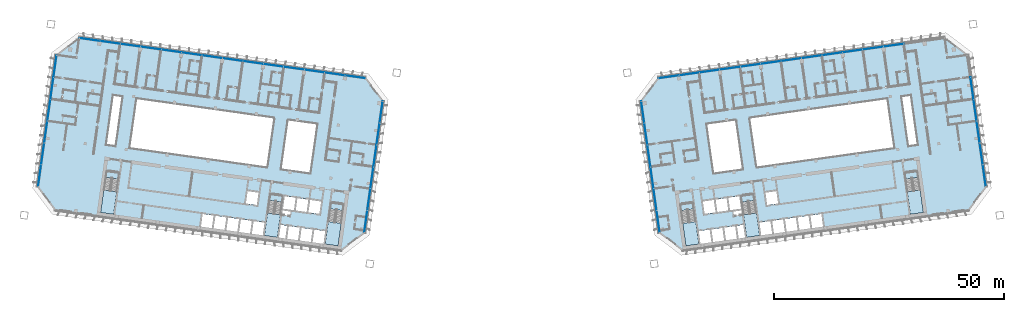
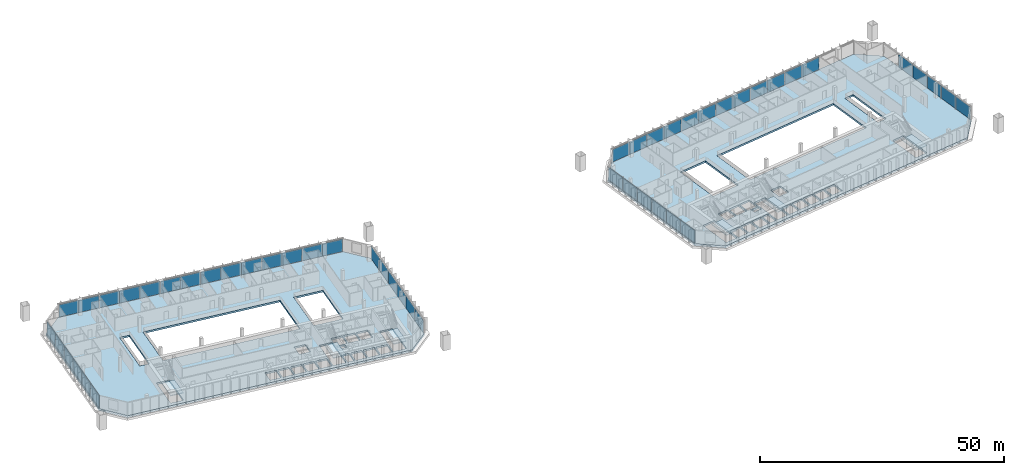
# One storey, part 12 of 26: 49 plates, 8 slabs, 12 elements without a shape of their own.
"""IFC4 building model written with IfcOpenShell, lengths in metres."""

from ifc_helpers import new_model, si_unit, direction, frame, origin, origin_2d, place, context, subcontext, project, spatial, polyline, rectangle, outline, extrude, material, layer, layer_set, type_object, element, aggregate, save


model = new_model("IFC4")

# Units and contexts
model_context = context("Model", 3, precision=1e-05, world=origin(), true_north=direction((0.0, 1.0)))
body_context = subcontext(model_context, "Body", "Model", "MODEL_VIEW")
ifc_project = project(units=[si_unit("LENGTHUNIT", "METRE"), si_unit("AREAUNIT", "SQUARE_METRE"), si_unit("VOLUMEUNIT", "CUBIC_METRE"), si_unit("PLANEANGLEUNIT", "RADIAN"), si_unit("MASSUNIT", "GRAM", prefix="KILO")], contexts=[model_context])

# Site, building, storey
site_placement = place(None, origin())
site = spatial("IfcSite", under=ifc_project, at=site_placement, CompositionType="ELEMENT")
building_placement = place(site_placement, origin())
building = spatial("IfcBuilding", under=site, at=building_placement, Name="Mirante Cascada Hotel Towers", CompositionType="ELEMENT")
storey_placement = place(building_placement, frame((0.0, 0.0, 140.5)))
storey = spatial("IfcBuildingStorey", under=building, at=storey_placement, Name="L32", CompositionType="ELEMENT", Elevation=140.5)

# Curtain wall, plates
ifc_material_1 = material(Name="Aluminium mullion and transom frame with clear laminated glass", Category="aluminium")
curtain_wall_type_1 = type_object("IfcCurtainWallType", Name="Ribbon curtain wall ECW1", PredefinedType="NOTDEFINED", material=ifc_material_1)
curtain_wall_1_placement = place(storey_placement, origin())
curtain_wall_1 = element("IfcCurtainWall", 1, at=curtain_wall_1_placement, inside=storey, type_object=curtain_wall_type_1, Name="Front ribbon wall T1 L32", PredefinedType="NOTDEFINED")
ifc_material_2 = material(Name="Clear laminated glass", Category="glass")
ifc_layer_1 = layer(ifc_material_2, 0.036)
ifc_layer_set_1 = layer_set([ifc_layer_1], Name="ECW1 glass panel 36")
plate_type_1 = type_object("IfcPlateType", Name="ECW1 glass panel 36", PredefinedType="CURTAIN_PANEL", material=ifc_layer_set_1)
plate_1_placement = place(storey_placement, frame((-91.9184, 25.7373, 0.1), z_axis=(0.0, 0.0, 1.0), x_axis=(0.9902681, -0.1391731, 0.0)))
plate_1 = element("IfcPlate", 2, at=plate_1_placement, type_object=plate_type_1, Name="ECW1 panel 1", PredefinedType="CURTAIN_PANEL", context=body_context, shape_type="SweptSolid", body=[
    extrude(rectangle(XDim=4.3936, YDim=0.036, at=origin_2d()), origin(), (0.0, 0.0, 1.0), 3.15),
])
plate_2_placement = place(storey_placement, frame((-87.487, 25.1145, 0.1), z_axis=(0.0, 0.0, 1.0), x_axis=(0.9902681, -0.1391731, 0.0)))
plate_2 = element("IfcPlate", 3, at=plate_2_placement, type_object=plate_type_1, Name="ECW1 panel 2", PredefinedType="CURTAIN_PANEL", context=body_context, shape_type="SweptSolid", body=[
    extrude(rectangle(XDim=4.4261, YDim=0.036, at=origin_2d()), origin(), (0.0, 0.0, 1.0), 3.15),
])
plate_3_placement = place(storey_placement, frame((-83.0396, 24.4895, 0.1), z_axis=(0.0, 0.0, 1.0), x_axis=(0.9902681, -0.1391731, 0.0)))
plate_3 = element("IfcPlate", 4, at=plate_3_placement, type_object=plate_type_1, Name="ECW1 panel 3", PredefinedType="CURTAIN_PANEL", context=body_context, shape_type="SweptSolid", body=[
    extrude(rectangle(XDim=4.4261, YDim=0.036, at=origin_2d()), origin(), (0.0, 0.0, 1.0), 3.15),
])
plate_4_placement = place(storey_placement, frame((-78.5922, 23.8644, 0.1), z_axis=(0.0, 0.0, 1.0), x_axis=(0.9902681, -0.1391731, 0.0)))
plate_4 = element("IfcPlate", 5, at=plate_4_placement, type_object=plate_type_1, Name="ECW1 panel 4", PredefinedType="CURTAIN_PANEL", context=body_context, shape_type="SweptSolid", body=[
    extrude(rectangle(XDim=4.4261, YDim=0.036, at=origin_2d()), origin(), (0.0, 0.0, 1.0), 3.15),
])
plate_5_placement = place(storey_placement, frame((-74.1448, 23.2394, 0.1), z_axis=(0.0, 0.0, 1.0), x_axis=(0.9902681, -0.1391731, 0.0)))
plate_5 = element("IfcPlate", 6, at=plate_5_placement, type_object=plate_type_1, Name="ECW1 panel 5", PredefinedType="CURTAIN_PANEL", context=body_context, shape_type="SweptSolid", body=[
    extrude(rectangle(XDim=4.4261, YDim=0.036, at=origin_2d()), origin(), (0.0, 0.0, 1.0), 3.15),
])
plate_6_placement = place(storey_placement, frame((-69.6974, 22.6144, 0.1), z_axis=(0.0, 0.0, 1.0), x_axis=(0.9902681, -0.1391731, 0.0)))
plate_6 = element("IfcPlate", 7, at=plate_6_placement, type_object=plate_type_1, Name="ECW1 panel 6", PredefinedType="CURTAIN_PANEL", context=body_context, shape_type="SweptSolid", body=[
    extrude(rectangle(XDim=4.4261, YDim=0.036, at=origin_2d()), origin(), (0.0, 0.0, 1.0), 3.15),
])
plate_7_placement = place(storey_placement, frame((-65.2499, 21.9893, 0.1), z_axis=(0.0, 0.0, 1.0), x_axis=(0.9902681, -0.1391731, 0.0)))
plate_7 = element("IfcPlate", 8, at=plate_7_placement, type_object=plate_type_1, Name="ECW1 panel 7", PredefinedType="CURTAIN_PANEL", context=body_context, shape_type="SweptSolid", body=[
    extrude(rectangle(XDim=4.4261, YDim=0.036, at=origin_2d()), origin(), (0.0, 0.0, 1.0), 3.15),
])
plate_8_placement = place(storey_placement, frame((-60.8025, 21.3643, 0.1), z_axis=(0.0, 0.0, 1.0), x_axis=(0.9902681, -0.1391731, 0.0)))
plate_8 = element("IfcPlate", 9, at=plate_8_placement, type_object=plate_type_1, Name="ECW1 panel 8", PredefinedType="CURTAIN_PANEL", context=body_context, shape_type="SweptSolid", body=[
    extrude(rectangle(XDim=4.4261, YDim=0.036, at=origin_2d()), origin(), (0.0, 0.0, 1.0), 3.15),
])
plate_9_placement = place(storey_placement, frame((-56.3551, 20.7392, 0.1), z_axis=(0.0, 0.0, 1.0), x_axis=(0.9902681, -0.1391731, 0.0)))
plate_9 = element("IfcPlate", 10, at=plate_9_placement, type_object=plate_type_1, Name="ECW1 panel 9", PredefinedType="CURTAIN_PANEL", context=body_context, shape_type="SweptSolid", body=[
    extrude(rectangle(XDim=4.4261, YDim=0.036, at=origin_2d()), origin(), (0.0, 0.0, 1.0), 3.15),
])
plate_10_placement = place(storey_placement, frame((-51.9077, 20.1142, 0.1), z_axis=(0.0, 0.0, 1.0), x_axis=(0.9902681, -0.1391731, 0.0)))
plate_10 = element("IfcPlate", 11, at=plate_10_placement, type_object=plate_type_1, Name="ECW1 panel 10", PredefinedType="CURTAIN_PANEL", context=body_context, shape_type="SweptSolid", body=[
    extrude(rectangle(XDim=4.4261, YDim=0.036, at=origin_2d()), origin(), (0.0, 0.0, 1.0), 3.15),
])
plate_11_placement = place(storey_placement, frame((-47.4603, 19.4891, 0.1), z_axis=(0.0, 0.0, 1.0), x_axis=(0.9902681, -0.1391731, 0.0)))
plate_11 = element("IfcPlate", 12, at=plate_11_placement, type_object=plate_type_1, Name="ECW1 panel 11", PredefinedType="CURTAIN_PANEL", context=body_context, shape_type="SweptSolid", body=[
    extrude(rectangle(XDim=4.4261, YDim=0.036, at=origin_2d()), origin(), (0.0, 0.0, 1.0), 3.15),
])
plate_12_placement = place(storey_placement, frame((-43.0129, 18.8641, 0.1), z_axis=(0.0, 0.0, 1.0), x_axis=(0.9902681, -0.1391731, 0.0)))
plate_12 = element("IfcPlate", 13, at=plate_12_placement, type_object=plate_type_1, Name="ECW1 panel 12", PredefinedType="CURTAIN_PANEL", context=body_context, shape_type="SweptSolid", body=[
    extrude(rectangle(XDim=4.4261, YDim=0.036, at=origin_2d()), origin(), (0.0, 0.0, 1.0), 3.15),
])
plate_13_placement = place(storey_placement, frame((-38.5654, 18.239, 0.1), z_axis=(0.0, 0.0, 1.0), x_axis=(0.9902681, -0.1391731, 0.0)))
plate_13 = element("IfcPlate", 14, at=plate_13_placement, type_object=plate_type_1, Name="ECW1 panel 13", PredefinedType="CURTAIN_PANEL", context=body_context, shape_type="SweptSolid", body=[
    extrude(rectangle(XDim=4.4261, YDim=0.036, at=origin_2d()), origin(), (0.0, 0.0, 1.0), 3.15),
])
plate_14_placement = place(storey_placement, frame((-34.1341, 17.6163, 0.1), z_axis=(0.0, 0.0, 1.0), x_axis=(0.9902681, -0.1391731, 0.0)))
plate_14 = element("IfcPlate", 15, at=plate_14_placement, type_object=plate_type_1, Name="ECW1 panel 14", PredefinedType="CURTAIN_PANEL", context=body_context, shape_type="SweptSolid", body=[
    extrude(rectangle(XDim=4.3936, YDim=0.036, at=origin_2d()), origin(), (0.0, 0.0, 1.0), 3.15),
])
aggregate(curtain_wall_1, [plate_1, plate_2, plate_3, plate_4, plate_5, plate_6, plate_7, plate_8, plate_9, plate_10, plate_11, plate_12, plate_13, plate_14])

curtain_wall_2_placement = place(storey_placement, origin())
curtain_wall_2 = element("IfcCurtainWall", 16, at=curtain_wall_2_placement, inside=storey, type_object=curtain_wall_type_1, Name="Front ribbon wall T2 L32", PredefinedType="NOTDEFINED")
plate_15_placement = place(storey_placement, frame((83.0396, 24.4895, 0.1), z_axis=(0.0, 0.0, 1.0), x_axis=(-0.9902681, -0.1391731, 0.0)))
plate_15 = element("IfcPlate", 17, at=plate_15_placement, type_object=plate_type_1, Name="ECW1 panel 3", PredefinedType="CURTAIN_PANEL", context=body_context, shape_type="SweptSolid", body=[
    extrude(rectangle(XDim=4.4261, YDim=0.036, at=origin_2d()), origin(), (0.0, 0.0, 1.0), 3.15),
])
plate_16_placement = place(storey_placement, frame((78.5922, 23.8644, 0.1), z_axis=(0.0, 0.0, 1.0), x_axis=(-0.9902681, -0.1391731, 0.0)))
plate_16 = element("IfcPlate", 18, at=plate_16_placement, type_object=plate_type_1, Name="ECW1 panel 4", PredefinedType="CURTAIN_PANEL", context=body_context, shape_type="SweptSolid", body=[
    extrude(rectangle(XDim=4.4261, YDim=0.036, at=origin_2d()), origin(), (0.0, 0.0, 1.0), 3.15),
])
plate_17_placement = place(storey_placement, frame((74.1448, 23.2394, 0.1), z_axis=(0.0, 0.0, 1.0), x_axis=(-0.9902681, -0.1391731, 0.0)))
plate_17 = element("IfcPlate", 19, at=plate_17_placement, type_object=plate_type_1, Name="ECW1 panel 5", PredefinedType="CURTAIN_PANEL", context=body_context, shape_type="SweptSolid", body=[
    extrude(rectangle(XDim=4.4261, YDim=0.036, at=origin_2d()), origin(), (0.0, 0.0, 1.0), 3.15),
])
plate_18_placement = place(storey_placement, frame((69.6974, 22.6144, 0.1), z_axis=(0.0, 0.0, 1.0), x_axis=(-0.9902681, -0.1391731, 0.0)))
plate_18 = element("IfcPlate", 20, at=plate_18_placement, type_object=plate_type_1, Name="ECW1 panel 6", PredefinedType="CURTAIN_PANEL", context=body_context, shape_type="SweptSolid", body=[
    extrude(rectangle(XDim=4.4261, YDim=0.036, at=origin_2d()), origin(), (0.0, 0.0, 1.0), 3.15),
])
plate_19_placement = place(storey_placement, frame((65.2499, 21.9893, 0.1), z_axis=(0.0, 0.0, 1.0), x_axis=(-0.9902681, -0.1391731, 0.0)))
plate_19 = element("IfcPlate", 21, at=plate_19_placement, type_object=plate_type_1, Name="ECW1 panel 7", PredefinedType="CURTAIN_PANEL", context=body_context, shape_type="SweptSolid", body=[
    extrude(rectangle(XDim=4.4261, YDim=0.036, at=origin_2d()), origin(), (0.0, 0.0, 1.0), 3.15),
])
plate_20_placement = place(storey_placement, frame((60.8025, 21.3643, 0.1), z_axis=(0.0, 0.0, 1.0), x_axis=(-0.9902681, -0.1391731, 0.0)))
plate_20 = element("IfcPlate", 22, at=plate_20_placement, type_object=plate_type_1, Name="ECW1 panel 8", PredefinedType="CURTAIN_PANEL", context=body_context, shape_type="SweptSolid", body=[
    extrude(rectangle(XDim=4.4261, YDim=0.036, at=origin_2d()), origin(), (0.0, 0.0, 1.0), 3.15),
])
plate_21_placement = place(storey_placement, frame((56.3551, 20.7392, 0.1), z_axis=(0.0, 0.0, 1.0), x_axis=(-0.9902681, -0.1391731, 0.0)))
plate_21 = element("IfcPlate", 23, at=plate_21_placement, type_object=plate_type_1, Name="ECW1 panel 9", PredefinedType="CURTAIN_PANEL", context=body_context, shape_type="SweptSolid", body=[
    extrude(rectangle(XDim=4.4261, YDim=0.036, at=origin_2d()), origin(), (0.0, 0.0, 1.0), 3.15),
])
plate_22_placement = place(storey_placement, frame((51.9077, 20.1142, 0.1), z_axis=(0.0, 0.0, 1.0), x_axis=(-0.9902681, -0.1391731, 0.0)))
plate_22 = element("IfcPlate", 24, at=plate_22_placement, type_object=plate_type_1, Name="ECW1 panel 10", PredefinedType="CURTAIN_PANEL", context=body_context, shape_type="SweptSolid", body=[
    extrude(rectangle(XDim=4.4261, YDim=0.036, at=origin_2d()), origin(), (0.0, 0.0, 1.0), 3.15),
])
plate_23_placement = place(storey_placement, frame((47.4603, 19.4891, 0.1), z_axis=(0.0, 0.0, 1.0), x_axis=(-0.9902681, -0.1391731, 0.0)))
plate_23 = element("IfcPlate", 25, at=plate_23_placement, type_object=plate_type_1, Name="ECW1 panel 11", PredefinedType="CURTAIN_PANEL", context=body_context, shape_type="SweptSolid", body=[
    extrude(rectangle(XDim=4.4261, YDim=0.036, at=origin_2d()), origin(), (0.0, 0.0, 1.0), 3.15),
])
plate_24_placement = place(storey_placement, frame((43.0129, 18.8641, 0.1), z_axis=(0.0, 0.0, 1.0), x_axis=(-0.9902681, -0.1391731, 0.0)))
plate_24 = element("IfcPlate", 26, at=plate_24_placement, type_object=plate_type_1, Name="ECW1 panel 12", PredefinedType="CURTAIN_PANEL", context=body_context, shape_type="SweptSolid", body=[
    extrude(rectangle(XDim=4.4261, YDim=0.036, at=origin_2d()), origin(), (0.0, 0.0, 1.0), 3.15),
])
plate_25_placement = place(storey_placement, frame((38.5654, 18.239, 0.1), z_axis=(0.0, 0.0, 1.0), x_axis=(-0.9902681, -0.1391731, 0.0)))
plate_25 = element("IfcPlate", 27, at=plate_25_placement, type_object=plate_type_1, Name="ECW1 panel 13", PredefinedType="CURTAIN_PANEL", context=body_context, shape_type="SweptSolid", body=[
    extrude(rectangle(XDim=4.4261, YDim=0.036, at=origin_2d()), origin(), (0.0, 0.0, 1.0), 3.15),
])
plate_26_placement = place(storey_placement, frame((34.1341, 17.6163, 0.1), z_axis=(0.0, 0.0, 1.0), x_axis=(-0.9902681, -0.1391731, 0.0)))
plate_26 = element("IfcPlate", 28, at=plate_26_placement, type_object=plate_type_1, Name="ECW1 panel 14", PredefinedType="CURTAIN_PANEL", context=body_context, shape_type="SweptSolid", body=[
    extrude(rectangle(XDim=4.3936, YDim=0.036, at=origin_2d()), origin(), (0.0, 0.0, 1.0), 3.15),
])
aggregate(curtain_wall_2, [plate_15, plate_16, plate_17, plate_18, plate_19, plate_20, plate_21, plate_22, plate_23, plate_24, plate_25, plate_26])

ifc_material_3 = material(Name="Aluminium mullion and transom frame with clear laminated glass", Category="aluminium")
curtain_wall_type_2 = type_object("IfcCurtainWallType", Name="End ribbon curtain wall ECW2", PredefinedType="NOTDEFINED", material=ifc_material_3)
curtain_wall_3_placement = place(storey_placement, origin())
curtain_wall_3 = element("IfcCurtainWall", 29, at=curtain_wall_3_placement, inside=storey, type_object=curtain_wall_type_2, Name="Inner end wall T1 L32", PredefinedType="NOTDEFINED")
ifc_material_4 = material(Name="Clear laminated glass", Category="glass")
ifc_layer_2 = layer(ifc_material_4, 0.034)
ifc_layer_set_2 = layer_set([ifc_layer_2], Name="ECW2 glass panel 34")
plate_type_2 = type_object("IfcPlateType", Name="ECW2 glass panel 34", PredefinedType="CURTAIN_PANEL", material=ifc_layer_set_2)
plate_27_placement = place(storey_placement, frame((-28.4763, 9.9193, 0.1), z_axis=(0.0, 0.0, 1.0), x_axis=(-0.1391731, -0.9902681, 0.0)))
plate_27 = element("IfcPlate", 30, at=plate_27_placement, type_object=plate_type_2, Name="ECW2 panel 1", PredefinedType="CURTAIN_PANEL", context=body_context, shape_type="SweptSolid", body=[
    extrude(rectangle(XDim=4.7151, YDim=0.034, at=origin_2d()), origin(), (0.0, 0.0, 1.0), 3.15),
])
plate_28_placement = place(storey_placement, frame((-29.1439, 5.1696, 0.1), z_axis=(0.0, 0.0, 1.0), x_axis=(-0.1391731, -0.9902681, 0.0)))
plate_28 = element("IfcPlate", 31, at=plate_28_placement, type_object=plate_type_2, Name="ECW2 panel 2", PredefinedType="CURTAIN_PANEL", context=body_context, shape_type="SweptSolid", body=[
    extrude(rectangle(XDim=4.7476, YDim=0.034, at=origin_2d()), origin(), (0.0, 0.0, 1.0), 3.15),
])
plate_29_placement = place(storey_placement, frame((-29.8136, 0.4038, 0.1), z_axis=(0.0, 0.0, 1.0), x_axis=(-0.1391731, -0.9902681, 0.0)))
plate_29 = element("IfcPlate", 32, at=plate_29_placement, type_object=plate_type_2, Name="ECW2 panel 3", PredefinedType="CURTAIN_PANEL", context=body_context, shape_type="SweptSolid", body=[
    extrude(rectangle(XDim=4.7476, YDim=0.034, at=origin_2d()), origin(), (0.0, 0.0, 1.0), 3.15),
])
plate_30_placement = place(storey_placement, frame((-30.4834, -4.362, 0.1), z_axis=(0.0, 0.0, 1.0), x_axis=(-0.1391731, -0.9902681, 0.0)))
plate_30 = element("IfcPlate", 33, at=plate_30_placement, type_object=plate_type_2, Name="ECW2 panel 4", PredefinedType="CURTAIN_PANEL", context=body_context, shape_type="SweptSolid", body=[
    extrude(rectangle(XDim=4.7476, YDim=0.034, at=origin_2d()), origin(), (0.0, 0.0, 1.0), 3.15),
])
plate_31_placement = place(storey_placement, frame((-31.1532, -9.1278, 0.1), z_axis=(0.0, 0.0, 1.0), x_axis=(-0.1391731, -0.9902681, 0.0)))
plate_31 = element("IfcPlate", 34, at=plate_31_placement, type_object=plate_type_2, Name="ECW2 panel 5", PredefinedType="CURTAIN_PANEL", context=body_context, shape_type="SweptSolid", body=[
    extrude(rectangle(XDim=4.7476, YDim=0.034, at=origin_2d()), origin(), (0.0, 0.0, 1.0), 3.15),
])
plate_32_placement = place(storey_placement, frame((-31.8207, -13.8775, 0.1), z_axis=(0.0, 0.0, 1.0), x_axis=(-0.1391731, -0.9902681, 0.0)))
plate_32 = element("IfcPlate", 35, at=plate_32_placement, type_object=plate_type_2, Name="ECW2 panel 6", PredefinedType="CURTAIN_PANEL", context=body_context, shape_type="SweptSolid", body=[
    extrude(rectangle(XDim=4.7151, YDim=0.034, at=origin_2d()), origin(), (0.0, 0.0, 1.0), 3.15),
])
aggregate(curtain_wall_3, [plate_27, plate_28, plate_29, plate_30, plate_31, plate_32])

curtain_wall_4_placement = place(storey_placement, origin())
curtain_wall_4 = element("IfcCurtainWall", 36, at=curtain_wall_4_placement, inside=storey, type_object=curtain_wall_type_2, Name="Outer end wall T1 L32", PredefinedType="NOTDEFINED")
plate_33_placement = place(storey_placement, frame((-102.823, -3.8988, 0.1), z_axis=(0.0, 0.0, 1.0), x_axis=(0.1391731, 0.9902681, 0.0)))
plate_33 = element("IfcPlate", 37, at=plate_33_placement, type_object=plate_type_2, Name="ECW2 panel 1", PredefinedType="CURTAIN_PANEL", context=body_context, shape_type="SweptSolid", body=[
    extrude(rectangle(XDim=4.7151, YDim=0.034, at=origin_2d()), origin(), (0.0, 0.0, 1.0), 3.15),
])
plate_34_placement = place(storey_placement, frame((-102.1554, 0.8509, 0.1), z_axis=(0.0, 0.0, 1.0), x_axis=(0.1391731, 0.9902681, 0.0)))
plate_34 = element("IfcPlate", 38, at=plate_34_placement, type_object=plate_type_2, Name="ECW2 panel 2", PredefinedType="CURTAIN_PANEL", context=body_context, shape_type="SweptSolid", body=[
    extrude(rectangle(XDim=4.7476, YDim=0.034, at=origin_2d()), origin(), (0.0, 0.0, 1.0), 3.15),
])
plate_35_placement = place(storey_placement, frame((-100.1461, 15.1483, 0.1), z_axis=(0.0, 0.0, 1.0), x_axis=(0.1391731, 0.9902681, 0.0)))
plate_35 = element("IfcPlate", 39, at=plate_35_placement, type_object=plate_type_2, Name="ECW2 panel 5", PredefinedType="CURTAIN_PANEL", context=body_context, shape_type="SweptSolid", body=[
    extrude(rectangle(XDim=4.7476, YDim=0.034, at=origin_2d()), origin(), (0.0, 0.0, 1.0), 3.15),
])
plate_36_placement = place(storey_placement, frame((-99.4786, 19.898, 0.1), z_axis=(0.0, 0.0, 1.0), x_axis=(0.1391731, 0.9902681, 0.0)))
plate_36 = element("IfcPlate", 40, at=plate_36_placement, type_object=plate_type_2, Name="ECW2 panel 6", PredefinedType="CURTAIN_PANEL", context=body_context, shape_type="SweptSolid", body=[
    extrude(rectangle(XDim=4.7151, YDim=0.034, at=origin_2d()), origin(), (0.0, 0.0, 1.0), 3.15),
])

curtain_wall_5_placement = place(storey_placement, origin())
curtain_wall_5 = element("IfcCurtainWall", 41, at=curtain_wall_5_placement, inside=storey, type_object=curtain_wall_type_2, Name="Inner end wall T2 L32", PredefinedType="NOTDEFINED")
plate_37_placement = place(storey_placement, frame((28.4763, 9.9193, 0.1), z_axis=(0.0, 0.0, 1.0), x_axis=(0.1391731, -0.9902681, 0.0)))
plate_37 = element("IfcPlate", 42, at=plate_37_placement, type_object=plate_type_2, Name="ECW2 panel 1", PredefinedType="CURTAIN_PANEL", context=body_context, shape_type="SweptSolid", body=[
    extrude(rectangle(XDim=4.7151, YDim=0.034, at=origin_2d()), origin(), (0.0, 0.0, 1.0), 3.15),
])
plate_38_placement = place(storey_placement, frame((29.1439, 5.1696, 0.1), z_axis=(0.0, 0.0, 1.0), x_axis=(0.1391731, -0.9902681, 0.0)))
plate_38 = element("IfcPlate", 43, at=plate_38_placement, type_object=plate_type_2, Name="ECW2 panel 2", PredefinedType="CURTAIN_PANEL", context=body_context, shape_type="SweptSolid", body=[
    extrude(rectangle(XDim=4.7476, YDim=0.034, at=origin_2d()), origin(), (0.0, 0.0, 1.0), 3.15),
])
plate_39_placement = place(storey_placement, frame((29.8136, 0.4038, 0.1), z_axis=(0.0, 0.0, 1.0), x_axis=(0.1391731, -0.9902681, 0.0)))
plate_39 = element("IfcPlate", 44, at=plate_39_placement, type_object=plate_type_2, Name="ECW2 panel 3", PredefinedType="CURTAIN_PANEL", context=body_context, shape_type="SweptSolid", body=[
    extrude(rectangle(XDim=4.7476, YDim=0.034, at=origin_2d()), origin(), (0.0, 0.0, 1.0), 3.15),
])
plate_40_placement = place(storey_placement, frame((30.4834, -4.362, 0.1), z_axis=(0.0, 0.0, 1.0), x_axis=(0.1391731, -0.9902681, 0.0)))
plate_40 = element("IfcPlate", 45, at=plate_40_placement, type_object=plate_type_2, Name="ECW2 panel 4", PredefinedType="CURTAIN_PANEL", context=body_context, shape_type="SweptSolid", body=[
    extrude(rectangle(XDim=4.7476, YDim=0.034, at=origin_2d()), origin(), (0.0, 0.0, 1.0), 3.15),
])
plate_41_placement = place(storey_placement, frame((31.1532, -9.1278, 0.1), z_axis=(0.0, 0.0, 1.0), x_axis=(0.1391731, -0.9902681, 0.0)))
plate_41 = element("IfcPlate", 46, at=plate_41_placement, type_object=plate_type_2, Name="ECW2 panel 5", PredefinedType="CURTAIN_PANEL", context=body_context, shape_type="SweptSolid", body=[
    extrude(rectangle(XDim=4.7476, YDim=0.034, at=origin_2d()), origin(), (0.0, 0.0, 1.0), 3.15),
])
plate_42_placement = place(storey_placement, frame((31.8207, -13.8775, 0.1), z_axis=(0.0, 0.0, 1.0), x_axis=(0.1391731, -0.9902681, 0.0)))
plate_42 = element("IfcPlate", 47, at=plate_42_placement, type_object=plate_type_2, Name="ECW2 panel 6", PredefinedType="CURTAIN_PANEL", context=body_context, shape_type="SweptSolid", body=[
    extrude(rectangle(XDim=4.7151, YDim=0.034, at=origin_2d()), origin(), (0.0, 0.0, 1.0), 3.15),
])
aggregate(curtain_wall_5, [plate_37, plate_38, plate_39, plate_40, plate_41, plate_42])

curtain_wall_6_placement = place(storey_placement, origin())
curtain_wall_6 = element("IfcCurtainWall", 48, at=curtain_wall_6_placement, inside=storey, type_object=curtain_wall_type_2, Name="Outer end wall T2 L32", PredefinedType="NOTDEFINED")
plate_43_placement = place(storey_placement, frame((102.823, -3.8988, 0.1), z_axis=(0.0, 0.0, 1.0), x_axis=(-0.1391731, 0.9902681, 0.0)))
plate_43 = element("IfcPlate", 49, at=plate_43_placement, type_object=plate_type_2, Name="ECW2 panel 1", PredefinedType="CURTAIN_PANEL", context=body_context, shape_type="SweptSolid", body=[
    extrude(rectangle(XDim=4.7151, YDim=0.034, at=origin_2d()), origin(), (0.0, 0.0, 1.0), 3.15),
])
plate_44_placement = place(storey_placement, frame((102.1554, 0.8509, 0.1), z_axis=(0.0, 0.0, 1.0), x_axis=(-0.1391731, 0.9902681, 0.0)))
plate_44 = element("IfcPlate", 50, at=plate_44_placement, type_object=plate_type_2, Name="ECW2 panel 2", PredefinedType="CURTAIN_PANEL", context=body_context, shape_type="SweptSolid", body=[
    extrude(rectangle(XDim=4.7476, YDim=0.034, at=origin_2d()), origin(), (0.0, 0.0, 1.0), 3.15),
])
plate_45_placement = place(storey_placement, frame((100.1461, 15.1483, 0.1), z_axis=(0.0, 0.0, 1.0), x_axis=(-0.1391731, 0.9902681, 0.0)))
plate_45 = element("IfcPlate", 51, at=plate_45_placement, type_object=plate_type_2, Name="ECW2 panel 5", PredefinedType="CURTAIN_PANEL", context=body_context, shape_type="SweptSolid", body=[
    extrude(rectangle(XDim=4.7476, YDim=0.034, at=origin_2d()), origin(), (0.0, 0.0, 1.0), 3.15),
])

# Plate
ifc_material_5 = material(Name="Insulated aluminium spandrel panel", Category="aluminium")
ifc_layer_3 = layer(ifc_material_5, 0.034)
ifc_layer_set_3 = layer_set([ifc_layer_3], Name="ECW2 spandrel panel 34")
plate_type_3 = type_object("IfcPlateType", Name="ECW2 spandrel panel 34", PredefinedType="CURTAIN_PANEL", material=ifc_layer_set_3)
plate_46_placement = place(storey_placement, frame((-101.4857, 5.6167, 0.1), z_axis=(0.0, 0.0, 1.0), x_axis=(0.1391731, 0.9902681, 0.0)))
plate_46 = element("IfcPlate", 52, at=plate_46_placement, type_object=plate_type_3, Name="ECW2 panel 3", PredefinedType="CURTAIN_PANEL", context=body_context, shape_type="SweptSolid", body=[
    extrude(rectangle(XDim=4.7476, YDim=0.034, at=origin_2d()), origin(), (0.0, 0.0, 1.0), 3.15),
])

plate_47_placement = place(storey_placement, frame((-100.8159, 10.3825, 0.1), z_axis=(0.0, 0.0, 1.0), x_axis=(0.1391731, 0.9902681, 0.0)))
plate_47 = element("IfcPlate", 53, at=plate_47_placement, type_object=plate_type_3, Name="ECW2 panel 4", PredefinedType="CURTAIN_PANEL", context=body_context, shape_type="SweptSolid", body=[
    extrude(rectangle(XDim=4.7476, YDim=0.034, at=origin_2d()), origin(), (0.0, 0.0, 1.0), 3.15),
])

aggregate(curtain_wall_4, [plate_33, plate_34, plate_46, plate_47, plate_35, plate_36])

plate_48_placement = place(storey_placement, frame((101.4857, 5.6167, 0.1), z_axis=(0.0, 0.0, 1.0), x_axis=(-0.1391731, 0.9902681, 0.0)))
plate_48 = element("IfcPlate", 54, at=plate_48_placement, type_object=plate_type_3, Name="ECW2 panel 3", PredefinedType="CURTAIN_PANEL", context=body_context, shape_type="SweptSolid", body=[
    extrude(rectangle(XDim=4.7476, YDim=0.034, at=origin_2d()), origin(), (0.0, 0.0, 1.0), 3.15),
])

plate_49_placement = place(storey_placement, frame((100.8159, 10.3825, 0.1), z_axis=(0.0, 0.0, 1.0), x_axis=(-0.1391731, 0.9902681, 0.0)))
plate_49 = element("IfcPlate", 55, at=plate_49_placement, type_object=plate_type_3, Name="ECW2 panel 4", PredefinedType="CURTAIN_PANEL", context=body_context, shape_type="SweptSolid", body=[
    extrude(rectangle(XDim=4.7476, YDim=0.034, at=origin_2d()), origin(), (0.0, 0.0, 1.0), 3.15),
])

aggregate(curtain_wall_6, [plate_43, plate_44, plate_48, plate_49, plate_45])

# Stair, slab
ifc_material_6 = material(Name="Concrete C35/45", Category="concrete")
stair_type = type_object("IfcStairType", Name="Exit stair half-turn 1350 concrete C35/45", PredefinedType="HALF_TURN_STAIR", material=ifc_material_6)
stair_1_placement = place(storey_placement, origin())
stair_1 = element("IfcStair", 56, at=stair_1_placement, inside=storey, type_object=stair_type, Name="L32 Exit stair A", PredefinedType="HALF_TURN_STAIR")
ifc_material_7 = material(Name="Concrete C35/45", Category="concrete")
ifc_layer_4 = layer(ifc_material_7, 0.2)
ifc_layer_set_4 = layer_set([ifc_layer_4], Name="Exit stair landing 200 concrete C35/45")
slab_type_1 = type_object("IfcSlabType", Name="Exit stair landing 200 concrete C35/45", PredefinedType="LANDING", material=ifc_layer_set_4)
slab_1_placement = place(storey_placement, frame((0.0, 0.0, 1.7)))
slab_1 = element("IfcSlab", 57, at=slab_1_placement, type_object=slab_type_1, Name="ST1-A landing 1", PredefinedType="LANDING", context=body_context, shape_type="SweptSolid", body=[
    extrude(outline(polyline([(-39.9987, -13.8659), (-40.6887, -18.7757), (-37.8665, -19.1723), (-37.1765, -14.2626), (-39.9987, -13.8659)])), origin(), (0.0, 0.0, 1.0), 0.2),
])
aggregate(stair_1, [slab_1])

stair_2_placement = place(storey_placement, origin())
stair_2 = element("IfcStair", 58, at=stair_2_placement, inside=storey, type_object=stair_type, Name="L32 Exit stair B", PredefinedType="HALF_TURN_STAIR")
slab_2_placement = place(storey_placement, frame((0.0, 0.0, 1.7)))
slab_2 = element("IfcSlab", 59, at=slab_2_placement, type_object=slab_type_1, Name="ST1-B landing 1", PredefinedType="LANDING", context=body_context, shape_type="SweptSolid", body=[
    extrude(outline(polyline([(-53.2188, -12.008), (-53.9088, -16.9177), (-51.0866, -17.3144), (-50.3965, -12.4046), (-53.2188, -12.008)])), origin(), (0.0, 0.0, 1.0), 0.2),
])
aggregate(stair_2, [slab_2])

stair_3_placement = place(storey_placement, origin())
stair_3 = element("IfcStair", 60, at=stair_3_placement, inside=storey, type_object=stair_type, Name="L32 Exit stair C", PredefinedType="HALF_TURN_STAIR")
slab_3_placement = place(storey_placement, frame((0.0, 0.0, 1.7)))
slab_3 = element("IfcSlab", 61, at=slab_3_placement, type_object=slab_type_1, Name="ST1-C landing 1", PredefinedType="LANDING", context=body_context, shape_type="SweptSolid", body=[
    extrude(outline(polyline([(-88.8685, -6.9977), (-89.5585, -11.9075), (-86.7362, -12.3041), (-86.0462, -7.3944), (-88.8685, -6.9977)])), origin(), (0.0, 0.0, 1.0), 0.2),
])
aggregate(stair_3, [slab_3])

stair_4_placement = place(storey_placement, origin())
stair_4 = element("IfcStair", 62, at=stair_4_placement, inside=storey, type_object=stair_type, Name="L32 Exit stair A", PredefinedType="HALF_TURN_STAIR")
slab_4_placement = place(storey_placement, frame((0.0, 0.0, 1.7)))
slab_4 = element("IfcSlab", 63, at=slab_4_placement, type_object=slab_type_1, Name="ST2-A landing 1", PredefinedType="LANDING", context=body_context, shape_type="SweptSolid", body=[
    extrude(outline(polyline([(37.1765, -14.2626), (37.8665, -19.1723), (40.6887, -18.7757), (39.9987, -13.8659), (37.1765, -14.2626)])), origin(), (0.0, 0.0, 1.0), 0.2),
])
aggregate(stair_4, [slab_4])

stair_5_placement = place(storey_placement, origin())
stair_5 = element("IfcStair", 64, at=stair_5_placement, inside=storey, type_object=stair_type, Name="L32 Exit stair B", PredefinedType="HALF_TURN_STAIR")
slab_5_placement = place(storey_placement, frame((0.0, 0.0, 1.7)))
slab_5 = element("IfcSlab", 65, at=slab_5_placement, type_object=slab_type_1, Name="ST2-B landing 1", PredefinedType="LANDING", context=body_context, shape_type="SweptSolid", body=[
    extrude(outline(polyline([(50.3965, -12.4046), (51.0866, -17.3144), (53.9088, -16.9177), (53.2188, -12.008), (50.3965, -12.4046)])), origin(), (0.0, 0.0, 1.0), 0.2),
])
aggregate(stair_5, [slab_5])

stair_6_placement = place(storey_placement, origin())
stair_6 = element("IfcStair", 66, at=stair_6_placement, inside=storey, type_object=stair_type, Name="L32 Exit stair C", PredefinedType="HALF_TURN_STAIR")
slab_6_placement = place(storey_placement, frame((0.0, 0.0, 1.7)))
slab_6 = element("IfcSlab", 67, at=slab_6_placement, type_object=slab_type_1, Name="ST2-C landing 1", PredefinedType="LANDING", context=body_context, shape_type="SweptSolid", body=[
    extrude(outline(polyline([(86.0462, -7.3944), (86.7362, -12.3041), (89.5585, -11.9075), (88.8685, -6.9977), (86.0462, -7.3944)])), origin(), (0.0, 0.0, 1.0), 0.2),
])
aggregate(stair_6, [slab_6])

# Slabs
ifc_material_8 = material(Name="Concrete C40/50", Category="concrete")
ifc_layer_5 = layer(ifc_material_8, 0.45)
ifc_layer_set_5 = layer_set([ifc_layer_5], Name="Post-tensioned flat plate 450 Concrete C40/50")
slab_type_2 = type_object("IfcSlabType", Name="Post-tensioned flat plate 450 Concrete C40/50", PredefinedType="FLOOR", material=ifc_layer_set_5)
slab_7_placement = place(storey_placement, frame((0.0, 0.0, -0.45)))
element("IfcSlab", 68, at=slab_7_placement, inside=storey, type_object=slab_type_2, Name="Floor T1 L32", PredefinedType="FLOOR", context=body_context, shape_type="SweptSolid", body=[
    extrude(outline(polyline([(-32.018, -16.3589), (-27.982, 12.3589), (-31.8119, 17.4414), (-94.1988, 26.2093), (-99.2813, 22.3794), (-103.3173, -6.3384), (-99.4874, -11.4209), (-37.1005, -20.1888), (-32.018, -16.3589)]), holes=[polyline([(-43.0718, -15.6132), (-40.5961, -15.9612), (-40.9858, -18.7339), (-43.4615, -18.386), (-43.0718, -15.6132)]), polyline([(-45.8446, -15.2236), (-43.3689, -15.5715), (-43.7586, -18.3442), (-46.2342, -17.9963), (-45.8446, -15.2236)]), polyline([(-48.6173, -14.8339), (-46.1416, -15.1818), (-46.5313, -17.9546), (-49.007, -17.6066), (-48.6173, -14.8339)]), polyline([(-50.3998, -14.5834), (-48.9144, -14.7921), (-49.3041, -17.5649), (-50.7895, -17.3561), (-50.3998, -14.5834)]), polyline([(-36.7887, -11.5037), (-37.8665, -19.1723), (-40.6887, -18.7757), (-39.611, -11.107), (-36.7887, -11.5037)]), polyline([(-49.9544, -11.4145), (-48.1472, -11.6685), (-48.2829, -12.634), (-50.0901, -12.38), (-49.9544, -11.4145)]), polyline([(-43.9775, -9.124), (-41.5018, -9.472), (-41.8915, -12.2447), (-44.3672, -11.8968), (-43.9775, -9.124)]), polyline([(-47.1399, -11.5071), (-46.7503, -8.7344), (-44.2746, -9.0823), (-44.6643, -11.855), (-47.1399, -11.5071)]), polyline([(-49.9127, -11.1174), (-49.523, -8.3447), (-47.0473, -8.6926), (-47.437, -11.4654), (-49.9127, -11.1174)]), polyline([(-56.2919, -13.7553), (-53.8162, -14.1032), (-54.2059, -16.876), (-56.6816, -16.528), (-56.2919, -13.7553)]), polyline([(-59.0646, -13.3656), (-56.589, -13.7135), (-56.9787, -16.4863), (-59.4543, -16.1383), (-59.0646, -13.3656)]), polyline([(-61.8374, -12.9759), (-59.3617, -13.3238), (-59.7514, -16.0966), (-62.2271, -15.7487), (-61.8374, -12.9759)]), polyline([(-64.6101, -12.5862), (-62.1345, -12.9342), (-62.5242, -15.7069), (-64.9998, -15.359), (-64.6101, -12.5862)]), polyline([(-67.3829, -12.1965), (-64.9072, -12.5445), (-65.2969, -15.3172), (-67.7726, -14.9693), (-67.3829, -12.1965)]), polyline([(-50.0088, -9.6457), (-51.0866, -17.3144), (-53.9088, -16.9177), (-52.8311, -9.2491), (-50.0088, -9.6457)]), polyline([(-85.6585, -4.6355), (-86.7362, -12.3041), (-89.5585, -11.9075), (-88.4807, -4.2388), (-85.6585, -4.6355)]), polyline([(-57.9834, -9.9832), (-57.5937, -7.2104), (-55.118, -7.5583), (-55.5077, -10.3311), (-57.9834, -9.9832)]), polyline([(-86.873, 13.6677), (-84.7325, 13.3668), (-84.7325, 13.3668), (-86.2634, 2.4739), (-86.2634, 2.4739), (-88.4039, 2.7747), (-86.873, 13.6677)]), polyline([(-51.7318, 8.7289), (-53.2627, -2.1641), (-53.2627, -2.1641), (-83.2906, 2.0561), (-83.2906, 2.0561), (-81.7597, 12.949), (-81.7597, 12.949), (-51.7318, 8.7289)]), polyline([(-42.3109, 7.4049), (-43.8418, -3.4881), (-50.2899, -2.5818), (-50.2899, -2.5818), (-48.759, 8.3111), (-42.3109, 7.4049)])]), origin(), (0.0, 0.0, 1.0), 0.45),
])
slab_8_placement = place(storey_placement, frame((0.0, 0.0, -0.45)))
element("IfcSlab", 69, at=slab_8_placement, inside=storey, type_object=slab_type_2, Name="Floor T2 L32", PredefinedType="FLOOR", context=body_context, shape_type="SweptSolid", body=[
    extrude(outline(polyline([(32.018, -16.3589), (27.982, 12.3589), (31.8119, 17.4414), (94.1988, 26.2093), (99.2813, 22.3794), (103.3173, -6.3384), (99.4874, -11.4209), (37.1005, -20.1888), (32.018, -16.3589)]), holes=[polyline([(43.0718, -15.6132), (40.5961, -15.9612), (40.9858, -18.7339), (43.4615, -18.386), (43.0718, -15.6132)]), polyline([(45.8446, -15.2236), (43.3689, -15.5715), (43.7586, -18.3442), (46.2342, -17.9963), (45.8446, -15.2236)]), polyline([(48.6173, -14.8339), (46.1416, -15.1818), (46.5313, -17.9546), (49.007, -17.6066), (48.6173, -14.8339)]), polyline([(50.3998, -14.5834), (48.9144, -14.7921), (49.3041, -17.5649), (50.7895, -17.3561), (50.3998, -14.5834)]), polyline([(37.8665, -19.1723), (40.6887, -18.7757), (39.611, -11.107), (36.7887, -11.5037), (37.8665, -19.1723)]), polyline([(49.9544, -11.4145), (48.1472, -11.6685), (48.2829, -12.634), (50.0901, -12.38), (49.9544, -11.4145)]), polyline([(43.9775, -9.124), (41.5018, -9.472), (41.8915, -12.2447), (44.3672, -11.8968), (43.9775, -9.124)]), polyline([(47.1399, -11.5071), (46.7503, -8.7344), (44.2746, -9.0823), (44.6643, -11.855), (47.1399, -11.5071)]), polyline([(49.9127, -11.1174), (49.523, -8.3447), (47.0473, -8.6926), (47.437, -11.4654), (49.9127, -11.1174)]), polyline([(56.2919, -13.7553), (53.8162, -14.1032), (54.2059, -16.876), (56.6816, -16.528), (56.2919, -13.7553)]), polyline([(59.0646, -13.3656), (56.589, -13.7135), (56.9787, -16.4863), (59.4543, -16.1383), (59.0646, -13.3656)]), polyline([(61.8374, -12.9759), (59.3617, -13.3238), (59.7514, -16.0966), (62.2271, -15.7487), (61.8374, -12.9759)]), polyline([(64.6101, -12.5862), (62.1345, -12.9342), (62.5242, -15.7069), (64.9998, -15.359), (64.6101, -12.5862)]), polyline([(67.3829, -12.1965), (64.9072, -12.5445), (65.2969, -15.3172), (67.7726, -14.9693), (67.3829, -12.1965)]), polyline([(51.0866, -17.3144), (53.9088, -16.9177), (52.8311, -9.2491), (50.0088, -9.6457), (51.0866, -17.3144)]), polyline([(86.7362, -12.3041), (89.5585, -11.9075), (88.4807, -4.2388), (85.6585, -4.6355), (86.7362, -12.3041)]), polyline([(57.9834, -9.9832), (57.5937, -7.2104), (55.118, -7.5583), (55.5077, -10.3311), (57.9834, -9.9832)]), polyline([(86.873, 13.6677), (88.4039, 2.7747), (86.2634, 2.4739), (86.2634, 2.4739), (84.7325, 13.3668), (84.7325, 13.3668), (86.873, 13.6677)]), polyline([(81.7597, 12.949), (81.7597, 12.949), (83.2906, 2.0561), (83.2906, 2.0561), (53.2627, -2.1641), (53.2627, -2.1641), (51.7318, 8.7289), (81.7597, 12.949)]), polyline([(43.8418, -3.4881), (42.3109, 7.4049), (48.759, 8.3111), (50.2899, -2.5818), (50.2899, -2.5818), (43.8418, -3.4881)])]), origin(), (0.0, 0.0, 1.0), 0.45),
])

save(model, "model.ifc")
